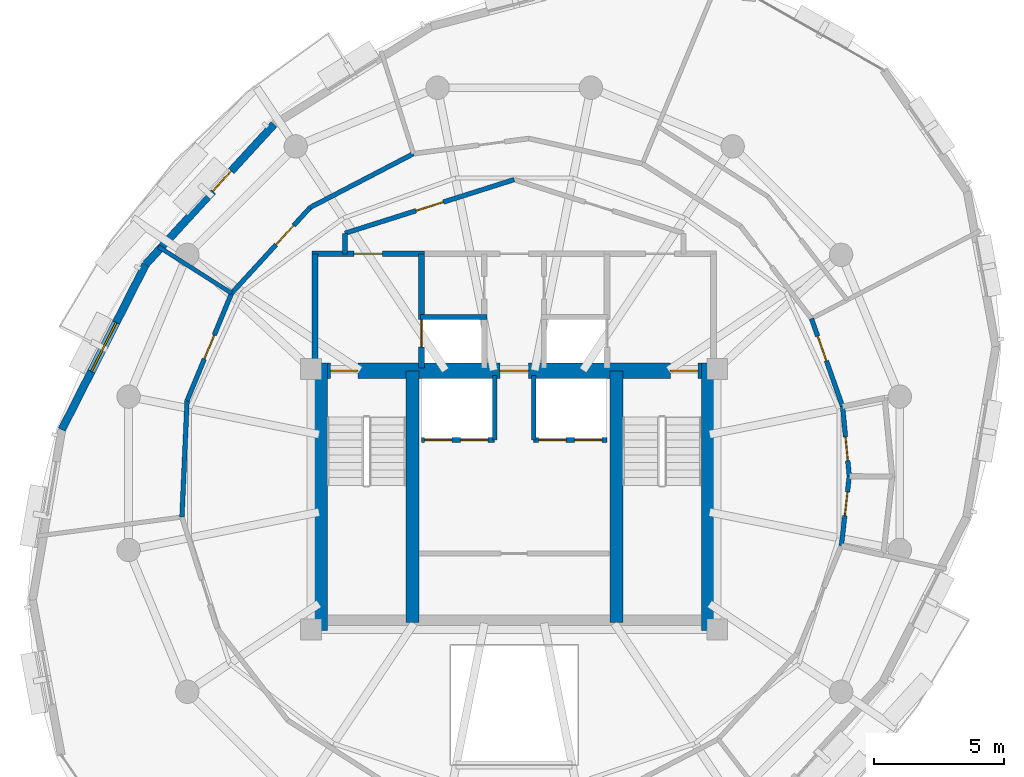
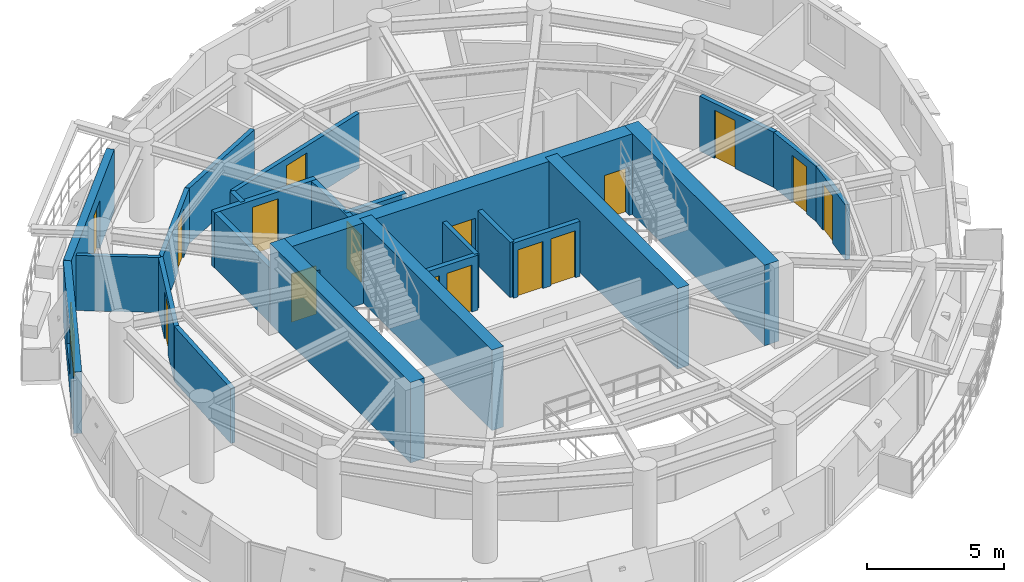
# One storey, part 8 of 12: 25 walls, 16 doors, 1 window, 17 openings.
"""IFC4 building model written with IfcOpenShell, lengths in metres."""

from ifc_helpers import new_model, si_unit, direction, frame, frame_2d, origin, place, context, subcontext, project, spatial, rectangle, extrude, material, layer, layer_set, type_object, element, fill, save


model = new_model("IFC4")

# Units and contexts
model_context = context("Model", 3, precision=1e-05, world=origin(), true_north=direction((0.0, 1.0)))
body_context = subcontext(model_context, "Body", "Model", "MODEL_VIEW")
ifc_project = project(units=[si_unit("LENGTHUNIT", "METRE"), si_unit("AREAUNIT", "SQUARE_METRE"), si_unit("VOLUMEUNIT", "CUBIC_METRE"), si_unit("PLANEANGLEUNIT", "RADIAN"), si_unit("MASSUNIT", "GRAM", prefix="KILO"), si_unit("THERMODYNAMICTEMPERATUREUNIT", "KELVIN"), si_unit("POWERUNIT", "WATT")], contexts=[model_context])

# Site, building, storey
site_placement = place(None, origin())
site = spatial("IfcSite", under=ifc_project, at=site_placement, CompositionType="ELEMENT")
building_placement = place(site_placement, origin())
building = spatial("IfcBuilding", under=site, at=building_placement, Name="Ocrelia Relay Tower", CompositionType="ELEMENT")
storey_placement = place(building_placement, frame((0.0, 0.0, 230.39990234375)))
storey = spatial("IfcBuildingStorey", under=building, at=storey_placement, Name="L56", CompositionType="ELEMENT", Elevation=230.39990234375)

# Wall, openings, doors
ifc_material_1 = material(Name="Concrete C50/60", Category="concrete")
ifc_layer_1 = layer(ifc_material_1, 0.60009765625, Name="Concrete C50/60")
ifc_layer_set_1 = layer_set([ifc_layer_1], Name="Concrete C50/60")
wall_type_1 = type_object("IfcWallType", Name="CW-CORE-600B", PredefinedType="SHEAR", material=ifc_layer_set_1)
wall_1_placement = place(storey_placement, frame((26.221923828125, 29.93798828125, 0.0), z_axis=(0.0, 0.0, 1.0), x_axis=(1.0, 0.0, 0.0)))
wall_1 = element("IfcWall", 1, at=wall_1_placement, inside=storey, type_object=wall_type_1, Name="L56 Core Shear Wall N", PredefinedType="SHEAR", context=body_context, shape_type="SweptSolid", body=[
    extrude(rectangle(XDim=15.566162109375, YDim=0.60009765625, at=frame_2d((7.783203125, 0.0))), origin(), (0.0, 0.0, 1.0), 3.60009765625),
])
opening_1_placement = place(wall_1_placement, frame((0.72802734375, 0.0, 0.0)))
opening_1 = element("IfcOpeningElement", 2, at=opening_1_placement, cuts=wall_1, Name="Opening D-FD90", PredefinedType="OPENING", context=body_context, shape_type="SweptSolid", body=[
    extrude(rectangle(XDim=1.050048828125, YDim=2.14990234375, at=frame_2d((0.52490234375, 1.074951171875))), frame((0.0, 0.31005859375, 0.0), z_axis=(0.0, -1.0, 0.0), x_axis=(1.0, 0.0, 0.0)), (0.0, 0.0, 1.0), 0.6201171875),
])
opening_2_placement = place(wall_1_placement, frame((13.778076171875, 0.0, 0.0)))
opening_2 = element("IfcOpeningElement", 3, at=opening_2_placement, cuts=wall_1, Name="Opening D-FD90", PredefinedType="OPENING", context=body_context, shape_type="SweptSolid", body=[
    extrude(rectangle(XDim=1.050048828125, YDim=2.14990234375, at=frame_2d((0.52490234375, 1.074951171875))), frame((0.0, 0.31005859375, 0.0), z_axis=(0.0, -1.0, 0.0), x_axis=(1.0, 0.0, 0.0)), (0.0, 0.0, 1.0), 0.6201171875),
])
opening_3_placement = place(wall_1_placement, frame((7.22802734375, 0.0, 0.0)))
opening_3 = element("IfcOpeningElement", 4, at=opening_3_placement, cuts=wall_1, Name="Opening D-FD60", PredefinedType="OPENING", context=body_context, shape_type="SweptSolid", body=[
    extrude(rectangle(XDim=1.10009765625, YDim=2.14990234375, at=frame_2d((0.550048828125, 1.074951171875))), frame((0.0, 0.31005859375, 0.0), z_axis=(0.0, -1.0, 0.0), x_axis=(1.0, 0.0, 0.0)), (0.0, 0.0, 1.0), 0.6201171875),
])
ifc_material_2 = material(Name="Timber-core 60-min acoustic fire door", Category="wood")
door_type_1 = type_object("IfcDoorType", Name="DR-LOBBY-FD60-1100", OperationType="NOTDEFINED", PredefinedType="DOOR", material=ifc_material_2)
door_1_placement = place(opening_3_placement, origin())
door_1 = element("IfcDoor", 5, at=door_1_placement, inside=storey, type_object=door_type_1, Name="L56 Core Lift Lobby North Fire Door", OperationType="SINGLE_SWING_RIGHT", OverallHeight=2.14990234375, OverallWidth=1.10009765625, PredefinedType="DOOR", context=body_context, shape_type="SweptSolid", body=[
    extrude(rectangle(XDim=1.10009765625, YDim=2.14990234375, at=frame_2d((0.550048828125, 1.074951171875))), frame((0.0, 0.02490234375, 0.0), z_axis=(0.0, -1.0, 0.0), x_axis=(1.0, 0.0, 0.0)), (0.0, 0.0, 1.0), 0.050048828125),
])
fill(opening_3, door_1)
ifc_material_3 = material(Name="Steel S355 90-min fire door", Category="steel")
door_type_2 = type_object("IfcDoorType", Name="DR-STAIR-FD90-1050", OperationType="NOTDEFINED", PredefinedType="DOOR", material=ifc_material_3)
door_2_placement = place(opening_1_placement, origin())
door_2 = element("IfcDoor", 6, at=door_2_placement, inside=storey, type_object=door_type_2, Name="L56 Stair ST1 Fire Door", OperationType="SINGLE_SWING_RIGHT", OverallHeight=2.14990234375, OverallWidth=1.050048828125, PredefinedType="DOOR", context=body_context, shape_type="SweptSolid", body=[
    extrude(rectangle(XDim=1.050048828125, YDim=2.14990234375, at=frame_2d((0.52490234375, 1.074951171875))), frame((0.0, 0.02490234375, 0.0), z_axis=(0.0, -1.0, 0.0), x_axis=(1.0, 0.0, 0.0)), (0.0, 0.0, 1.0), 0.050048828125),
])
fill(opening_1, door_2)
door_3_placement = place(opening_2_placement, origin())
door_3 = element("IfcDoor", 7, at=door_3_placement, inside=storey, type_object=door_type_2, Name="L56 Stair ST2 Fire Door", OperationType="SINGLE_SWING_LEFT", OverallHeight=2.14990234375, OverallWidth=1.050048828125, PredefinedType="DOOR", context=body_context, shape_type="SweptSolid", body=[
    extrude(rectangle(XDim=1.050048828125, YDim=2.14990234375, at=frame_2d((0.52490234375, 1.074951171875))), frame((0.0, 0.02490234375, 0.0), z_axis=(0.0, -1.0, 0.0), x_axis=(1.0, 0.0, 0.0)), (0.0, 0.0, 1.0), 0.050048828125),
])
fill(opening_2, door_3)

# Walls
for number, where, z_axis, x_axis, name in (
    (8, (26.52197265625, 19.9619140625, 0.0), (0.0, 0.0, 1.0), (0.0, 1.0, 0.0), "L56 Core Shear Wall W"),
    (9, (41.488037109375, 19.9619140625, 0.0), (0.0, 0.0, 1.0), (0.0, 1.0, 0.0), "L56 Core Shear Wall E"),
):
    element("IfcWall", number, at=place(storey_placement, frame(where, z_axis=z_axis, x_axis=x_axis)), inside=storey, type_object=wall_type_1, Name=name, PredefinedType="SHEAR", context=body_context, shape_type="SweptSolid", body=[
        extrude(rectangle(XDim=10.276123046875, YDim=0.60009765625, at=frame_2d((5.13818359375, 0.0))), origin(), (0.0, 0.0, 1.0), 3.60009765625),
    ])
for number, where, z_axis, x_axis, name in (
    (10, (30.087890625, 20.261962890625, 0.0), (0.0, 0.0, 1.0), (0.0, 1.0, 0.0), "L56 Core Shear Wall SPW"),
    (11, (37.922119140625, 20.261962890625, 0.0), (0.0, 0.0, 1.0), (0.0, 1.0, 0.0), "L56 Core Shear Wall SPE"),
):
    element("IfcWall", number, at=place(storey_placement, frame(where, z_axis=z_axis, x_axis=x_axis)), inside=storey, type_object=wall_type_1, Name=name, PredefinedType="SHEAR", context=body_context, shape_type="SweptSolid", body=[
        extrude(rectangle(XDim=9.676025390625, YDim=0.5, at=frame_2d((4.837890625, 0.0))), origin(), (0.0, 0.0, 1.0), 3.60009765625),
    ])
ifc_material_4 = material(Name="Gypsum Fireboard Partition EI60", Category="gypsum")
ifc_layer_2 = layer(ifc_material_4, 0.179931640625, Name="Gypsum Fireboard Partition EI60")
ifc_layer_set_2 = layer_set([ifc_layer_2], Name="Gypsum Fireboard Partition EI60")
wall_type_2 = type_object("IfcWallType", Name="W-CORR-EI60-180", PredefinedType="PARTITIONING", material=ifc_layer_set_2)
wall_2_placement = place(storey_placement, frame((27.5, 34.429931640625, 0.0), z_axis=(0.0, 0.0, 1.0), x_axis=(0.0, 1.0, 0.0)))
element("IfcWall", 12, at=wall_2_placement, inside=storey, type_object=wall_type_2, Name="L56 Smoke Lobby West Return", PredefinedType="PARTITIONING", context=body_context, shape_type="SweptSolid", body=[
    extrude(rectangle(XDim=0.7890625, YDim=0.179931640625, at=frame_2d((0.39453125, 0.0))), origin(), (0.0, 0.0, 1.0), 2.460205078125),
])

# Wall, opening, door
wall_3_placement = place(storey_placement, frame((27.5, 35.218994140625, 0.0), z_axis=(0.0, 0.0, 1.0), x_axis=(0.953228121756, 0.302251795518, 0.0)))
wall_3 = element("IfcWall", 13, at=wall_3_placement, inside=storey, type_object=wall_type_2, Name="L56 North Smoke Lobby W Screen Wall", PredefinedType="PARTITIONING", context=body_context, shape_type="SweptSolid", body=[
    extrude(rectangle(XDim=6.81884765625, YDim=0.179931640625, at=frame_2d((3.409423828125, 0.0))), origin(), (0.0, 0.0, 1.0), 2.460205078125),
])
opening_4_placement = place(wall_3_placement, frame((2.859619140625, 0.0, 0.0)))
opening_4 = element("IfcOpeningElement", 14, at=opening_4_placement, cuts=wall_3, Name="Opening D-FD60", PredefinedType="OPENING", context=body_context, shape_type="SweptSolid", body=[
    extrude(rectangle(XDim=1.10009765625, YDim=2.14990234375, at=frame_2d((0.550048828125, 1.074951171875))), frame((0.0, 0.10009765625, 0.0), z_axis=(0.0, -1.0, 0.0), x_axis=(1.0, 0.0, 0.0)), (0.0, 0.0, 1.0), 0.199951171875),
])
door_4_placement = place(opening_4_placement, origin())
door_4 = element("IfcDoor", 15, at=door_4_placement, inside=storey, type_object=door_type_1, Name="L56 North Smoke Lobby W Fire Door", OperationType="SINGLE_SWING_LEFT", OverallHeight=2.14990234375, OverallWidth=1.10009765625, PredefinedType="DOOR", context=body_context, shape_type="SweptSolid", body=[
    extrude(rectangle(XDim=1.10009765625, YDim=2.14990234375, at=frame_2d((0.550048828125, 1.074951171875))), frame((0.0, 0.02490234375, 0.0), z_axis=(0.0, -1.0, 0.0), x_axis=(1.0, 0.0, 0.0)), (0.0, 0.0, 1.0), 0.050048828125),
])
fill(opening_4, door_4)

wall_4_placement = place(storey_placement, frame((46.56494140625, 23.21435546875, 0.0), z_axis=(0.0, 0.0, 1.0), x_axis=(0.113149924515, 0.993577925772, 0.0)))
wall_4 = element("IfcWall", 16, at=wall_4_placement, inside=storey, type_object=wall_type_2, Name="L56 Staff Toilet Corridor Wall", PredefinedType="PARTITIONING", context=body_context, shape_type="SweptSolid", body=[
    extrude(rectangle(XDim=2.690673828125, YDim=0.179931640625, at=frame_2d((1.34521484375, 0.0))), origin(), (0.0, 0.0, 1.0), 2.460205078125),
])
opening_5_placement = place(wall_4_placement, frame((1.16748046875, 0.0, 0.0)))
opening_5 = element("IfcOpeningElement", 17, at=opening_5_placement, cuts=wall_4, Name="Opening D-WC92", PredefinedType="OPENING", context=body_context, shape_type="SweptSolid", body=[
    extrude(rectangle(XDim=0.919921875, YDim=2.10009765625, at=frame_2d((0.4599609375, 1.050048828125))), frame((0.0, 0.10009765625, 0.0), z_axis=(0.0, -1.0, 0.0), x_axis=(1.0, 0.0, 0.0)), (0.0, 0.0, 1.0), 0.199951171875),
])
ifc_material_5 = material(Name="Laminate washroom door", Category="wood")
door_type_3 = type_object("IfcDoorType", Name="DR-WC-920", OperationType="NOTDEFINED", PredefinedType="DOOR", material=ifc_material_5)
door_5_placement = place(opening_5_placement, origin())
door_5 = element("IfcDoor", 18, at=door_5_placement, inside=storey, type_object=door_type_3, Name="L56 Staff Toilet Door", OperationType="SINGLE_SWING_LEFT", OverallHeight=2.10009765625, OverallWidth=0.919921875, PredefinedType="DOOR", context=body_context, shape_type="SweptSolid", body=[
    extrude(rectangle(XDim=0.919921875, YDim=2.10009765625, at=frame_2d((0.4599609375, 1.050048828125))), frame((0.0, 0.02490234375, 0.0), z_axis=(0.0, -1.0, 0.0), x_axis=(1.0, 0.0, 0.0)), (0.0, 0.0, 1.0), 0.050048828125),
])
fill(opening_5, door_5)

wall_5_placement = place(storey_placement, frame((46.869384765625, 25.8876953125, 0.0), z_axis=(0.0, 0.0, 1.0), x_axis=(-0.09581960292, 0.995398715941, 0.0)))
wall_5 = element("IfcWall", 19, at=wall_5_placement, inside=storey, type_object=wall_type_2, Name="L56 Accessible Toilet Corridor Wall", PredefinedType="PARTITIONING", context=body_context, shape_type="SweptSolid", body=[
    extrude(rectangle(XDim=2.690673828125, YDim=0.179931640625, at=frame_2d((1.34521484375, 0.0))), origin(), (0.0, 0.0, 1.0), 2.460205078125),
])
opening_6_placement = place(wall_5_placement, frame((0.603271484375, 0.0, 0.0)))
opening_6 = element("IfcOpeningElement", 20, at=opening_6_placement, cuts=wall_5, Name="Opening D-WC92", PredefinedType="OPENING", context=body_context, shape_type="SweptSolid", body=[
    extrude(rectangle(XDim=0.919921875, YDim=2.10009765625, at=frame_2d((0.4599609375, 1.050048828125))), frame((0.0, 0.10009765625, 0.0), z_axis=(0.0, -1.0, 0.0), x_axis=(1.0, 0.0, 0.0)), (0.0, 0.0, 1.0), 0.199951171875),
])
door_6_placement = place(opening_6_placement, origin())
door_6 = element("IfcDoor", 21, at=door_6_placement, inside=storey, type_object=door_type_3, Name="L56 Accessible Toilet Door", OperationType="SINGLE_SWING_RIGHT", OverallHeight=2.10009765625, OverallWidth=0.919921875, PredefinedType="DOOR", context=body_context, shape_type="SweptSolid", body=[
    extrude(rectangle(XDim=0.919921875, YDim=2.10009765625, at=frame_2d((0.4599609375, 1.050048828125))), frame((0.0, 0.02490234375, 0.0), z_axis=(0.0, -1.0, 0.0), x_axis=(1.0, 0.0, 0.0)), (0.0, 0.0, 1.0), 0.050048828125),
])
fill(opening_6, door_6)

wall_6_placement = place(storey_placement, frame((46.611572265625, 28.56591796875, 0.0), z_axis=(0.0, 0.0, 1.0), x_axis=(-0.33381812474, 0.942637501691, 0.0)))
wall_6 = element("IfcWall", 22, at=wall_6_placement, inside=storey, type_object=wall_type_2, Name="L56 Executive Telecom Office A Corridor Partition 1", PredefinedType="PARTITIONING", context=body_context, shape_type="SweptSolid", body=[
    extrude(rectangle(XDim=3.582275390625, YDim=0.179931640625, at=frame_2d((1.791015625, 0.0))), origin(), (0.0, 0.0, 1.0), 2.460205078125),
])
opening_7_placement = place(wall_6_placement, frame((1.86181640625, 0.0, 0.0)))
opening_7 = element("IfcOpeningElement", 23, at=opening_7_placement, cuts=wall_6, Name="Opening D-RM100", PredefinedType="OPENING", context=body_context, shape_type="SweptSolid", body=[
    extrude(rectangle(XDim=1.0, YDim=2.14990234375, at=frame_2d((0.5, 1.074951171875))), frame((0.0, 0.10009765625, 0.0), z_axis=(0.0, -1.0, 0.0), x_axis=(1.0, 0.0, 0.0)), (0.0, 0.0, 1.0), 0.199951171875),
])
ifc_material_6 = material(Name="Acoustic oak veneer fire door", Category="wood")
door_type_4 = type_object("IfcDoorType", Name="DR-ROOM-FD60-1000", OperationType="NOTDEFINED", PredefinedType="DOOR", material=ifc_material_6)
door_7_placement = place(opening_7_placement, origin())
door_7 = element("IfcDoor", 24, at=door_7_placement, inside=storey, type_object=door_type_4, Name="L56 Executive Telecom Office A Entrance Door", OperationType="SINGLE_SWING_LEFT", OverallHeight=2.14990234375, OverallWidth=1.0, PredefinedType="DOOR", context=body_context, shape_type="SweptSolid", body=[
    extrude(rectangle(XDim=1.0, YDim=2.14990234375, at=frame_2d((0.5, 1.074951171875))), frame((0.0, 0.02490234375, 0.0), z_axis=(0.0, -1.0, 0.0), x_axis=(1.0, 0.0, 0.0)), (0.0, 0.0, 1.0), 0.050048828125),
])
fill(opening_7, door_7)

# Wall
wall_7_placement = place(storey_placement, frame((30.1298828125, 38.2744140625, 0.0), z_axis=(0.0, 0.0, 1.0), x_axis=(-0.886999386077, -0.461770602247, 0.0)))
element("IfcWall", 25, at=wall_7_placement, inside=storey, type_object=wall_type_2, Name="L56 Policy Office D Corridor Partition 1", PredefinedType="PARTITIONING", context=body_context, shape_type="SweptSolid", body=[
    extrude(rectangle(XDim=4.4697265625, YDim=0.179931640625, at=frame_2d((2.23486328125, 0.0))), origin(), (0.0, 0.0, 1.0), 2.460205078125),
])

# Wall, opening, door
wall_8_placement = place(storey_placement, frame((26.165283203125, 36.21044921875, 0.0), z_axis=(0.0, 0.0, 1.0), x_axis=(-0.675600949954, -0.737267493126, 0.0)))
wall_8 = element("IfcWall", 26, at=wall_8_placement, inside=storey, type_object=wall_type_2, Name="L56 Policy Office D Corridor Partition 2", PredefinedType="PARTITIONING", context=body_context, shape_type="SweptSolid", body=[
    extrude(rectangle(XDim=4.4697265625, YDim=0.179931640625, at=frame_2d((2.23486328125, 0.0))), origin(), (0.0, 0.0, 1.0), 2.460205078125),
])
opening_8_placement = place(wall_8_placement, frame((0.9423828125, 0.0, 0.0)))
opening_8 = element("IfcOpeningElement", 27, at=opening_8_placement, cuts=wall_8, Name="Opening D-RM100", PredefinedType="OPENING", context=body_context, shape_type="SweptSolid", body=[
    extrude(rectangle(XDim=1.0, YDim=2.14990234375, at=frame_2d((0.5, 1.074951171875))), frame((0.0, 0.10009765625, 0.0), z_axis=(0.0, -1.0, 0.0), x_axis=(1.0, 0.0, 0.0)), (0.0, 0.0, 1.0), 0.199951171875),
])
door_8_placement = place(opening_8_placement, origin())
door_8 = element("IfcDoor", 28, at=door_8_placement, inside=storey, type_object=door_type_4, Name="L56 Policy Office D Entrance Door", OperationType="SINGLE_SWING_LEFT", OverallHeight=2.14990234375, OverallWidth=1.0, PredefinedType="DOOR", context=body_context, shape_type="SweptSolid", body=[
    extrude(rectangle(XDim=1.0, YDim=2.14990234375, at=frame_2d((0.5, 1.074951171875))), frame((0.0, 0.02490234375, 0.0), z_axis=(0.0, -1.0, 0.0), x_axis=(1.0, 0.0, 0.0)), (0.0, 0.0, 1.0), 0.050048828125),
])
fill(opening_8, door_8)

wall_9_placement = place(storey_placement, frame((23.1455078125, 32.9150390625, 0.0), z_axis=(0.0, 0.0, 1.0), x_axis=(-0.382683050338, -0.923879690752, 0.0)))
wall_9 = element("IfcWall", 29, at=wall_9_placement, inside=storey, type_object=wall_type_2, Name="L56 Strategy Office E Corridor Partition 1", PredefinedType="PARTITIONING", context=body_context, shape_type="SweptSolid", body=[
    extrude(rectangle(XDim=4.4697265625, YDim=0.179931640625, at=frame_2d((2.23486328125, 0.0))), origin(), (0.0, 0.0, 1.0), 2.460205078125),
])
opening_9_placement = place(wall_9_placement, frame((1.73486328125, 0.0, 0.0)))
opening_9 = element("IfcOpeningElement", 30, at=opening_9_placement, cuts=wall_9, Name="Opening D-RM100", PredefinedType="OPENING", context=body_context, shape_type="SweptSolid", body=[
    extrude(rectangle(XDim=1.0, YDim=2.14990234375, at=frame_2d((0.5, 1.074951171875))), frame((0.0, 0.10009765625, 0.0), z_axis=(0.0, -1.0, 0.0), x_axis=(1.0, 0.0, 0.0)), (0.0, 0.0, 1.0), 0.199951171875),
])
door_9_placement = place(opening_9_placement, origin())
door_9 = element("IfcDoor", 31, at=door_9_placement, inside=storey, type_object=door_type_4, Name="L56 Strategy Office E Entrance Door", OperationType="SINGLE_SWING_RIGHT", OverallHeight=2.14990234375, OverallWidth=1.0, PredefinedType="DOOR", context=body_context, shape_type="SweptSolid", body=[
    extrude(rectangle(XDim=1.0, YDim=2.14990234375, at=frame_2d((0.5, 1.074951171875))), frame((0.0, 0.02490234375, 0.0), z_axis=(0.0, -1.0, 0.0), x_axis=(1.0, 0.0, 0.0)), (0.0, 0.0, 1.0), 0.050048828125),
])
fill(opening_9, door_9)

# Wall
wall_10_placement = place(storey_placement, frame((21.43505859375, 28.78564453125, 0.0), z_axis=(0.0, 0.0, 1.0), x_axis=(-0.043641067876, -0.999047274755, 0.0)))
element("IfcWall", 32, at=wall_10_placement, inside=storey, type_object=wall_type_2, Name="L56 Strategy Office E Corridor Partition 2", PredefinedType="PARTITIONING", context=body_context, shape_type="SweptSolid", body=[
    extrude(rectangle(XDim=4.4697265625, YDim=0.179931640625, at=frame_2d((2.23486328125, 0.0))), origin(), (0.0, 0.0, 1.0), 2.460205078125),
])

# Wall, opening, door
ifc_material_7 = material(Name="Precast concrete C40/50 with oxide terracotta", Category="masonry")
ifc_layer_3 = layer(ifc_material_7, 0.300048828125, Name="Precast concrete C40/50 with oxide terracotta")
ifc_layer_set_3 = layer_set([ifc_layer_3], Name="Precast concrete C40/50 with oxide terracotta")
wall_type_3 = type_object("IfcWallType", Name="W-EXT-TERR-300", PredefinedType="SOLIDWALL", material=ifc_layer_set_3)
wall_11_placement = place(storey_placement, frame((24.773681640625, 39.400390625, 0.0), z_axis=(0.0, 0.0, 1.0), x_axis=(-0.675568478711, -0.737297247094, 0.0)))
wall_11 = element("IfcWall", 33, at=wall_11_placement, inside=storey, type_object=wall_type_3, Name="L56 Oxide Terracotta Facade Wall 05", PredefinedType="SOLIDWALL", context=body_context, shape_type="SweptSolid", body=[
    extrude(rectangle(XDim=7.293212890625, YDim=0.300048828125, at=frame_2d((3.646484375, 0.0))), origin(), (0.0, 0.0, 1.0), 2.760009765625),
])
opening_10_placement = place(wall_11_placement, frame((2.429931640625, 0.0, 0.0)))
opening_10 = element("IfcOpeningElement", 34, at=opening_10_placement, cuts=wall_11, Name="Opening DB-105", PredefinedType="OPENING", context=body_context, shape_type="SweptSolid", body=[
    extrude(rectangle(XDim=1.050048828125, YDim=2.14990234375, at=frame_2d((0.52490234375, 1.074951171875))), frame((0.0, 0.16015625, 0.0), z_axis=(0.0, -1.0, 0.0), x_axis=(1.0, 0.0, 0.0)), (0.0, 0.0, 1.0), 0.320068359375),
])
ifc_material_8 = material(Name="Thermally broken aluminium and clear glass", Category="aluminium")
door_type_5 = type_object("IfcDoorType", Name="DR-BALC-1050", OperationType="NOTDEFINED", PredefinedType="DOOR", material=ifc_material_8)
door_10_placement = place(opening_10_placement, origin())
door_10 = element("IfcDoor", 35, at=door_10_placement, inside=storey, type_object=door_type_5, Name="L56 Planted Loggia Balcony Door B1", OperationType="SINGLE_SWING_LEFT", OverallHeight=2.14990234375, OverallWidth=1.050048828125, PredefinedType="DOOR", context=body_context, shape_type="SweptSolid", body=[
    extrude(rectangle(XDim=1.050048828125, YDim=2.14990234375, at=frame_2d((0.52490234375, 1.074951171875))), frame((0.0, 0.02490234375, 0.0), z_axis=(0.0, -1.0, 0.0), x_axis=(1.0, 0.0, 0.0)), (0.0, 0.0, 1.0), 0.050048828125),
])
fill(opening_10, door_10)

# Wall, opening, window
wall_12_placement = place(storey_placement, frame((19.8466796875, 34.023193359375, 0.0), z_axis=(0.0, 0.0, 1.0), x_axis=(-0.452571902959, -0.891727914025, 0.0)))
wall_12 = element("IfcWall", 36, at=wall_12_placement, inside=storey, type_object=wall_type_3, Name="L56 Oxide Terracotta Facade Wall 06", PredefinedType="SOLIDWALL", context=body_context, shape_type="SweptSolid", body=[
    extrude(rectangle(XDim=7.115478515625, YDim=0.300048828125, at=frame_2d((3.5576171875, 0.0))), origin(), (0.0, 0.0, 1.0), 2.760009765625),
])
opening_11_placement = place(wall_12_placement, frame((2.508056640625, 0.0, 0.800048828125)))
opening_11 = element("IfcOpeningElement", 37, at=opening_11_placement, cuts=wall_12, Name="Opening W-07", PredefinedType="OPENING", context=body_context, shape_type="SweptSolid", body=[
    extrude(rectangle(XDim=2.10009765625, YDim=1.85009765625, at=frame_2d((1.050048828125, 0.925048828125))), frame((0.0, 0.16015625, 0.0), z_axis=(0.0, -1.0, 0.0), x_axis=(1.0, 0.0, 0.0)), (0.0, 0.0, 1.0), 0.320068359375),
])
ifc_material_9 = material(Name="Clear double-glazed low-E glass", Category="glass")
window_type = type_object("IfcWindowType", Name="WIN-Z4-2100x2200", PartitioningType="DOUBLE_PANEL_VERTICAL", PredefinedType="WINDOW", material=ifc_material_9)
window_placement = place(opening_11_placement, origin())
window = element("IfcWindow", 38, at=window_placement, inside=storey, type_object=window_type, Name="L56 Facade Module Window 06", OverallHeight=1.85009765625, OverallWidth=2.10009765625, PartitioningType="SINGLE_PANEL", PredefinedType="WINDOW", context=body_context, shape_type="SweptSolid", body=[
    extrude(rectangle(XDim=2.10009765625, YDim=1.85009765625, at=frame_2d((1.050048828125, 0.925048828125))), frame((0.0, 0.030029296875, 0.0), z_axis=(0.0, -1.0, 0.0), x_axis=(1.0, 0.0, 0.0)), (0.0, 0.0, 1.0), 0.06005859375),
])
fill(opening_11, window)

# Wall
ifc_layer_4 = layer(ifc_material_1, 0.219970703125, Name="Concrete C50/60")
ifc_layer_set_4 = layer_set([ifc_layer_4], Name="Concrete C50/60")
wall_type_4 = type_object("IfcWallType", Name="W-FFL-EI120-220", PredefinedType="SOLIDWALL", material=ifc_layer_set_4)
wall_13_placement = place(storey_placement, frame((26.35009765625, 30.050048828125, 0.0), z_axis=(0.0, 0.0, 1.0), x_axis=(0.0, 1.0, 0.0)))
element("IfcWall", 39, at=wall_13_placement, inside=storey, type_object=wall_type_4, Name="L56 W Fire Service Lift Lobby West Wall", PredefinedType="SOLIDWALL", context=body_context, shape_type="SweptSolid", body=[
    extrude(rectangle(XDim=4.3798828125, YDim=0.219970703125, at=frame_2d((2.18994140625, 0.0))), origin(), (0.0, 0.0, 1.0), 2.460205078125),
])

# Wall, opening, door
wall_14_placement = place(storey_placement, frame((30.43994140625, 30.050048828125, 0.0), z_axis=(0.0, 0.0, 1.0), x_axis=(0.0, 1.0, 0.0)))
wall_14 = element("IfcWall", 40, at=wall_14_placement, inside=storey, type_object=wall_type_4, Name="L56 W Fire Service Lift Lobby East Wall", PredefinedType="SOLIDWALL", context=body_context, shape_type="SweptSolid", body=[
    extrude(rectangle(XDim=4.3798828125, YDim=0.219970703125, at=frame_2d((2.18994140625, 0.0))), origin(), (0.0, 0.0, 1.0), 2.460205078125),
])
opening_12_placement = place(wall_14_placement, frame((0.800048828125, 0.0, 0.0)))
opening_12 = element("IfcOpeningElement", 41, at=opening_12_placement, cuts=wall_14, Name="Opening LD-FFL1", PredefinedType="OPENING", context=body_context, shape_type="SweptSolid", body=[
    extrude(rectangle(XDim=1.050048828125, YDim=2.10009765625, at=frame_2d((0.52490234375, 1.050048828125))), frame((0.0, 0.1201171875, 0.0), z_axis=(0.0, -1.0, 0.0), x_axis=(1.0, 0.0, 0.0)), (0.0, 0.0, 1.0), 0.239990234375),
])
ifc_material_10 = material(Name="Brushed stainless steel S355 lift landing door", Category="steel")
door_type_6 = type_object("IfcDoorType", Name="DR-LIFT-LAND-1050", OperationType="DOUBLE_DOOR_SLIDING", PredefinedType="USERDEFINED", material=ifc_material_10)
door_11_placement = place(opening_12_placement, origin())
door_11 = element("IfcDoor", 42, at=door_11_placement, inside=storey, type_object=door_type_6, Name="L56 Firefighting Lift FFL1 Sliding Landing Door", ObjectType="LANDING DOOR", OperationType="DOUBLE_DOOR_SLIDING", OverallHeight=2.10009765625, OverallWidth=1.050048828125, PredefinedType="USERDEFINED", context=body_context, shape_type="SweptSolid", body=[
    extrude(rectangle(XDim=1.050048828125, YDim=2.10009765625, at=frame_2d((0.52490234375, 1.050048828125))), frame((0.0, 0.02490234375, 0.0), z_axis=(0.0, -1.0, 0.0), x_axis=(1.0, 0.0, 0.0)), (0.0, 0.0, 1.0), 0.050048828125),
])
fill(opening_12, door_11)

wall_15_placement = place(storey_placement, frame((26.239990234375, 34.429931640625, 0.0), z_axis=(0.0, 0.0, 1.0), x_axis=(1.0, 0.0, 0.0)))
wall_15 = element("IfcWall", 43, at=wall_15_placement, inside=storey, type_object=wall_type_4, Name="L56 W Fire Service Lift Lobby North Wall", PredefinedType="SOLIDWALL", context=body_context, shape_type="SweptSolid", body=[
    extrude(rectangle(XDim=4.31005859375, YDim=0.219970703125, at=frame_2d((2.155029296875, 0.0))), origin(), (0.0, 0.0, 1.0), 2.460205078125),
])
opening_13_placement = place(wall_15_placement, frame((1.60009765625, 0.0, 0.0)))
opening_13 = element("IfcOpeningElement", 44, at=opening_13_placement, cuts=wall_15, Name="Opening D-FD60", PredefinedType="OPENING", context=body_context, shape_type="SweptSolid", body=[
    extrude(rectangle(XDim=1.10009765625, YDim=2.14990234375, at=frame_2d((0.550048828125, 1.074951171875))), frame((0.0, 0.1201171875, 0.0), z_axis=(0.0, -1.0, 0.0), x_axis=(1.0, 0.0, 0.0)), (0.0, 0.0, 1.0), 0.239990234375),
])
door_12_placement = place(opening_13_placement, origin())
door_12 = element("IfcDoor", 45, at=door_12_placement, inside=storey, type_object=door_type_1, Name="L56 W Fire Service Lift Lobby Exit Door", OperationType="SINGLE_SWING_LEFT", OverallHeight=2.14990234375, OverallWidth=1.10009765625, PredefinedType="DOOR", context=body_context, shape_type="SweptSolid", body=[
    extrude(rectangle(XDim=1.10009765625, YDim=2.14990234375, at=frame_2d((0.550048828125, 1.074951171875))), frame((0.0, 0.02490234375, 0.0), z_axis=(0.0, -1.0, 0.0), x_axis=(1.0, 0.0, 0.0)), (0.0, 0.0, 1.0), 0.050048828125),
])
fill(opening_13, door_12)

# Walls
ifc_material_11 = material(Name="Acoustic Fireboard Partition EI60", Category="gypsum")
ifc_layer_5 = layer(ifc_material_11, 0.159912109375, Name="Acoustic Fireboard Partition EI60")
ifc_layer_set_5 = layer_set([ifc_layer_5], Name="Acoustic Fireboard Partition EI60")
wall_type_5 = type_object("IfcWallType", Name="W-PART-160", PredefinedType="PARTITIONING", material=ifc_layer_set_5)
wall_16_placement = place(storey_placement, frame((23.1455078125, 32.9150390625, 0.0), z_axis=(0.0, 0.0, 1.0), x_axis=(-0.843383723395, 0.537311729922, 0.0)))
element("IfcWall", 46, at=wall_16_placement, inside=storey, type_object=wall_type_5, Name="L56 Policy Office D Radial Partition", PredefinedType="PARTITIONING", context=body_context, shape_type="SweptSolid", body=[
    extrude(rectangle(XDim=3.3310546875, YDim=0.159912109375, at=frame_2d((1.66552734375, 0.0))), origin(), (0.0, 0.0, 1.0), 2.460205078125),
])
ifc_layer_6 = layer(ifc_material_1, 0.199951171875, Name="Concrete C50/60")
ifc_layer_set_6 = layer_set([ifc_layer_6], Name="Concrete C50/60")
wall_type_6 = type_object("IfcWallType", Name="W-SHAFT-EI120-200", PredefinedType="SOLIDWALL", material=ifc_layer_set_6)
wall_17_placement = place(storey_placement, frame((30.39990234375, 32.0, 0.0), z_axis=(0.0, 0.0, 1.0), x_axis=(1.0, 0.0, 0.0)))
element("IfcWall", 47, at=wall_17_placement, inside=storey, type_object=wall_type_6, Name="L56 FFL1 Hoistway North Wall", PredefinedType="SOLIDWALL", context=body_context, shape_type="SweptSolid", body=[
    extrude(rectangle(XDim=2.550048828125, YDim=0.199951171875, at=frame_2d((1.27490234375, 0.0))), origin(), (0.0, 0.0, 1.0), 2.460205078125),
])

# Wall, openings, doors
wall_18_placement = place(storey_placement, frame((30.43994140625, 27.280029296875, 0.0), z_axis=(0.0, 0.0, 1.0), x_axis=(1.0, 0.0, 0.0)))
wall_18 = element("IfcWall", 48, at=wall_18_placement, inside=storey, type_object=wall_type_6, Name="L56 High-Rise Lift Hoistway Wall W", PredefinedType="SOLIDWALL", context=body_context, shape_type="SweptSolid", body=[
    extrude(rectangle(XDim=2.81005859375, YDim=0.199951171875, at=frame_2d((1.405029296875, 0.0))), origin(), (0.0, 0.0, 1.0), 2.460205078125),
])
opening_14_placement = place(wall_18_placement, frame((0.1201171875, 0.0, 0.0)))
opening_14 = element("IfcOpeningElement", 49, at=opening_14_placement, cuts=wall_18, Name="Opening LD-PL5", PredefinedType="OPENING", context=body_context, shape_type="SweptSolid", body=[
    extrude(rectangle(XDim=1.050048828125, YDim=2.10009765625, at=frame_2d((0.52490234375, 1.050048828125))), frame((0.0, 0.10986328125, 0.0), z_axis=(0.0, -1.0, 0.0), x_axis=(1.0, 0.0, 0.0)), (0.0, 0.0, 1.0), 0.219970703125),
])
opening_15_placement = place(wall_18_placement, frame((1.5, 0.0, 0.0)))
opening_15 = element("IfcOpeningElement", 50, at=opening_15_placement, cuts=wall_18, Name="Opening LD-PL6", PredefinedType="OPENING", context=body_context, shape_type="SweptSolid", body=[
    extrude(rectangle(XDim=1.050048828125, YDim=2.10009765625, at=frame_2d((0.52490234375, 1.050048828125))), frame((0.0, 0.10986328125, 0.0), z_axis=(0.0, -1.0, 0.0), x_axis=(1.0, 0.0, 0.0)), (0.0, 0.0, 1.0), 0.219970703125),
])
door_13_placement = place(opening_14_placement, origin())
door_13 = element("IfcDoor", 51, at=door_13_placement, inside=storey, type_object=door_type_6, Name="L56 High-Rise Lift PL5 Sliding Landing Door", ObjectType="LANDING DOOR", OperationType="DOUBLE_DOOR_SLIDING", OverallHeight=2.10009765625, OverallWidth=1.050048828125, PredefinedType="USERDEFINED", context=body_context, shape_type="SweptSolid", body=[
    extrude(rectangle(XDim=1.050048828125, YDim=2.10009765625, at=frame_2d((0.52490234375, 1.050048828125))), frame((0.0, 0.02490234375, 0.0), z_axis=(0.0, -1.0, 0.0), x_axis=(1.0, 0.0, 0.0)), (0.0, 0.0, 1.0), 0.050048828125),
])
fill(opening_14, door_13)
door_14_placement = place(opening_15_placement, origin())
door_14 = element("IfcDoor", 52, at=door_14_placement, inside=storey, type_object=door_type_6, Name="L56 High-Rise Lift PL6 Sliding Landing Door", ObjectType="LANDING DOOR", OperationType="DOUBLE_DOOR_SLIDING", OverallHeight=2.10009765625, OverallWidth=1.050048828125, PredefinedType="USERDEFINED", context=body_context, shape_type="SweptSolid", body=[
    extrude(rectangle(XDim=1.050048828125, YDim=2.10009765625, at=frame_2d((0.52490234375, 1.050048828125))), frame((0.0, 0.02490234375, 0.0), z_axis=(0.0, -1.0, 0.0), x_axis=(1.0, 0.0, 0.0)), (0.0, 0.0, 1.0), 0.050048828125),
])
fill(opening_15, door_14)

# Wall
wall_19_placement = place(storey_placement, frame((33.25, 27.280029296875, 0.0), z_axis=(0.0, 0.0, 1.0), x_axis=(0.0, 1.0, 0.0)))
element("IfcWall", 53, at=wall_19_placement, inside=storey, type_object=wall_type_6, Name="L56 High-Rise Lift Throat Wall W", PredefinedType="SOLIDWALL", context=body_context, shape_type="SweptSolid", body=[
    extrude(rectangle(XDim=2.469970703125, YDim=0.179931640625, at=frame_2d((1.23486328125, 0.0))), origin(), (0.0, 0.0, 1.0), 2.460205078125),
])

# Wall, openings, doors
wall_20_placement = place(storey_placement, frame((34.75, 27.280029296875, 0.0), z_axis=(0.0, 0.0, 1.0), x_axis=(1.0, 0.0, 0.0)))
wall_20 = element("IfcWall", 54, at=wall_20_placement, inside=storey, type_object=wall_type_6, Name="L56 High-Rise Lift Hoistway Wall E", PredefinedType="SOLIDWALL", context=body_context, shape_type="SweptSolid", body=[
    extrude(rectangle(XDim=2.81005859375, YDim=0.199951171875, at=frame_2d((1.405029296875, 0.0))), origin(), (0.0, 0.0, 1.0), 2.460205078125),
])
opening_16_placement = place(wall_20_placement, frame((0.18994140625, 0.0, 0.0)))
opening_16 = element("IfcOpeningElement", 55, at=opening_16_placement, cuts=wall_20, Name="Opening LD-PL7", PredefinedType="OPENING", context=body_context, shape_type="SweptSolid", body=[
    extrude(rectangle(XDim=1.050048828125, YDim=2.10009765625, at=frame_2d((0.52490234375, 1.050048828125))), frame((0.0, 0.10986328125, 0.0), z_axis=(0.0, -1.0, 0.0), x_axis=(1.0, 0.0, 0.0)), (0.0, 0.0, 1.0), 0.219970703125),
])
opening_17_placement = place(wall_20_placement, frame((1.570068359375, 0.0, 0.0)))
opening_17 = element("IfcOpeningElement", 56, at=opening_17_placement, cuts=wall_20, Name="Opening LD-PL8", PredefinedType="OPENING", context=body_context, shape_type="SweptSolid", body=[
    extrude(rectangle(XDim=1.050048828125, YDim=2.10009765625, at=frame_2d((0.52490234375, 1.050048828125))), frame((0.0, 0.10986328125, 0.0), z_axis=(0.0, -1.0, 0.0), x_axis=(1.0, 0.0, 0.0)), (0.0, 0.0, 1.0), 0.219970703125),
])
door_15_placement = place(opening_16_placement, origin())
door_15 = element("IfcDoor", 57, at=door_15_placement, inside=storey, type_object=door_type_6, Name="L56 High-Rise Lift PL7 Sliding Landing Door", ObjectType="LANDING DOOR", OperationType="DOUBLE_DOOR_SLIDING", OverallHeight=2.10009765625, OverallWidth=1.050048828125, PredefinedType="USERDEFINED", context=body_context, shape_type="SweptSolid", body=[
    extrude(rectangle(XDim=1.050048828125, YDim=2.10009765625, at=frame_2d((0.52490234375, 1.050048828125))), frame((0.0, 0.02490234375, 0.0), z_axis=(0.0, -1.0, 0.0), x_axis=(1.0, 0.0, 0.0)), (0.0, 0.0, 1.0), 0.050048828125),
])
fill(opening_16, door_15)
door_16_placement = place(opening_17_placement, origin())
door_16 = element("IfcDoor", 58, at=door_16_placement, inside=storey, type_object=door_type_6, Name="L56 High-Rise Lift PL8 Sliding Landing Door", ObjectType="LANDING DOOR", OperationType="DOUBLE_DOOR_SLIDING", OverallHeight=2.10009765625, OverallWidth=1.050048828125, PredefinedType="USERDEFINED", context=body_context, shape_type="SweptSolid", body=[
    extrude(rectangle(XDim=1.050048828125, YDim=2.10009765625, at=frame_2d((0.52490234375, 1.050048828125))), frame((0.0, 0.02490234375, 0.0), z_axis=(0.0, -1.0, 0.0), x_axis=(1.0, 0.0, 0.0)), (0.0, 0.0, 1.0), 0.050048828125),
])
fill(opening_17, door_16)

# Wall
wall_21_placement = place(storey_placement, frame((34.75, 27.280029296875, 0.0), z_axis=(0.0, 0.0, 1.0), x_axis=(0.0, 1.0, 0.0)))
element("IfcWall", 59, at=wall_21_placement, inside=storey, type_object=wall_type_6, Name="L56 High-Rise Lift Throat Wall E", PredefinedType="SOLIDWALL", context=body_context, shape_type="SweptSolid", body=[
    extrude(rectangle(XDim=2.469970703125, YDim=0.179931640625, at=frame_2d((1.23486328125, 0.0))), origin(), (0.0, 0.0, 1.0), 2.460205078125),
])

save(model, "model.ifc")
